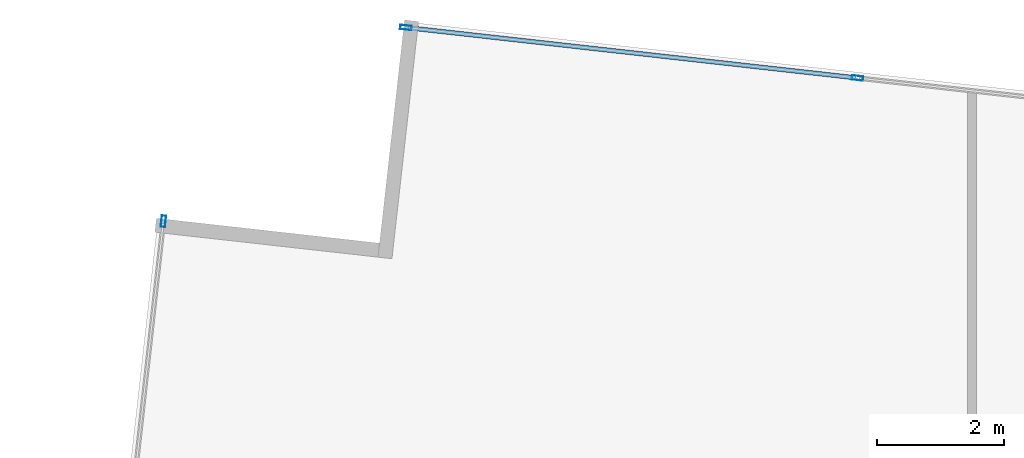
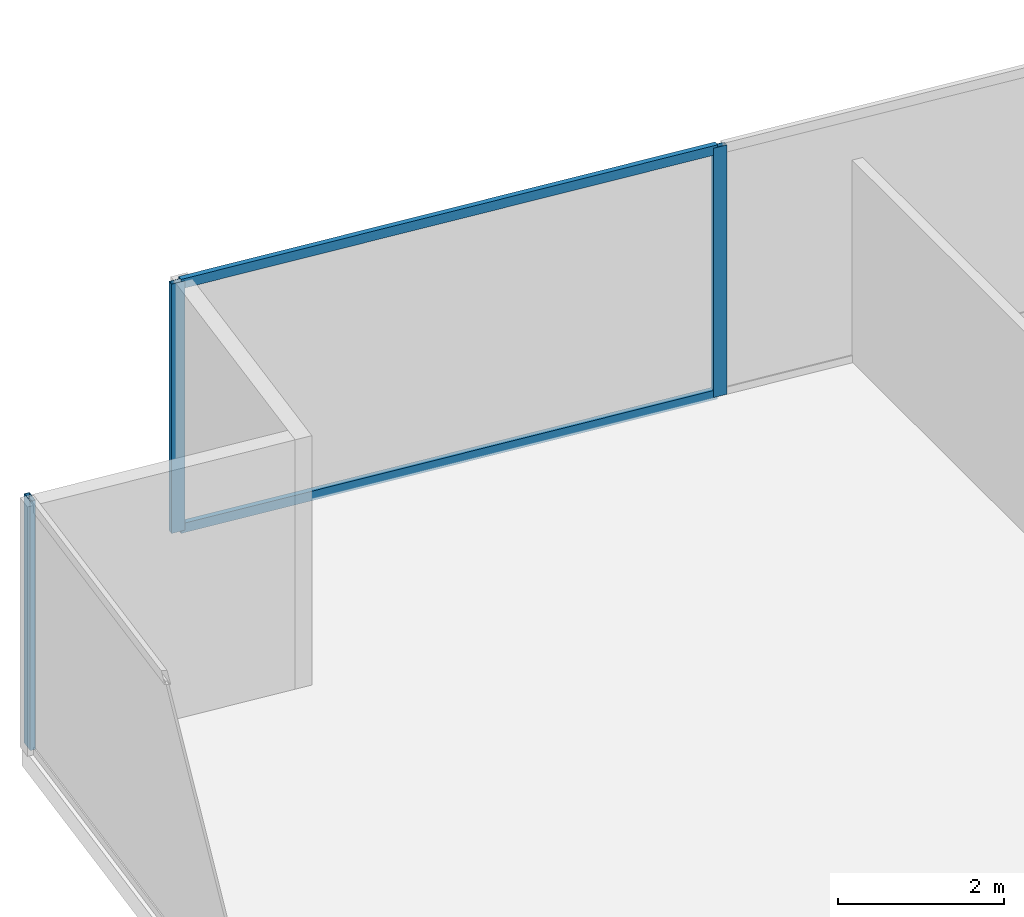
# One storey, part 18 of 29: 5 members, 2 elements without a shape of their own.
"""IFC4 building model written with IfcOpenShell, lengths in metres."""

from ifc_helpers import new_model, si_unit, direction, frame, origin, origin_2d, place, context, subcontext, project, spatial, hollow_rectangle, extrude, source, transform, mapped, material, material_profile, profile_set, type_object, type_shapes, element, aggregate, save


model = new_model("IFC4")

# Units and contexts
model_context = context("Model", 3, precision=1e-05, world=origin(), true_north=direction((0.0, 1.0)))
body_context = subcontext(model_context, "Body", "Model", "MODEL_VIEW")
ifc_project = project(units=[si_unit("LENGTHUNIT", "METRE"), si_unit("AREAUNIT", "SQUARE_METRE"), si_unit("VOLUMEUNIT", "CUBIC_METRE"), si_unit("PLANEANGLEUNIT", "RADIAN"), si_unit("MASSUNIT", "GRAM", prefix="KILO")], contexts=[model_context])

# Site, building, storey
site_placement = place(None, origin())
site = spatial("IfcSite", under=ifc_project, at=site_placement, CompositionType="ELEMENT")
building_placement = place(site_placement, origin())
building = spatial("IfcBuilding", under=site, at=building_placement, Name="Krantzveldt Concourse Tower", CompositionType="ELEMENT")
storey_placement = place(building_placement, frame((0.0, 0.0, 60.550048828125)))
storey = spatial("IfcBuildingStorey", under=building, at=storey_placement, Name="L14", CompositionType="ELEMENT", Elevation=60.550048828125)

# Curtain wall, member
ifc_material = material(Name="Anodised aluminium 6063-T6", Category="aluminium")
curtain_wall_type = type_object("IfcCurtainWallType", Name="CW2", PredefinedType="USERDEFINED", material=ifc_material)
curtain_wall_1_placement = place(storey_placement, origin())
curtain_wall_1 = element("IfcCurtainWall", 1, at=curtain_wall_1_placement, inside=storey, type_object=curtain_wall_type, Name="CW-L14-F01", ObjectType="UNITISED CURTAIN WALL", PredefinedType="USERDEFINED")
ifc_material_profile_1 = material_profile(ifc_material, hollow_rectangle(XDim=0.070068359375, YDim=0.179931640625, WallThickness=0.0048828125, at=origin_2d()), Name="Anodised aluminium 6063-T6", Category="aluminium")
ifc_profile_set_1 = profile_set([ifc_material_profile_1], Name="Anodised aluminium 6063-T6 - ALU-MULL 180x70x5")
member_type_1 = type_object("IfcMemberType", Name="CW-MUL-180", PredefinedType="MULLION", material=ifc_profile_set_1)
shared_shape_1 = source(origin(), body_context, "Body", "SweptSolid", [
    extrude(hollow_rectangle(XDim=0.070068359375, YDim=0.179931640625, WallThickness=0.0048828125, at=origin_2d()), origin(), (0.0, 0.0, 1.0), 3.669921875),
])
type_shapes(member_type_1, [shared_shape_1])
member_1_placement = place(storey_placement, frame((13.62744140625, 50.798095703125, 0.0), z_axis=(0.0, 0.0, 1.0), x_axis=(0.993816458223, -0.111035342863, 0.0)))
member_1 = element("IfcMember", 2, at=member_1_placement, type_object=member_type_1, Name="CW-Z12 mullion 1", PredefinedType="MULLION", context=body_context, shape_type="MappedRepresentation", body=[
    mapped(shared_shape_1, transform((0.0, 0.0, 0.0), x_axis=(1.0, 0.0, 0.0), y_axis=(0.0, 1.0, 0.0), z_axis=(0.0, 0.0, 1.0), scale=1.0)),
])
aggregate(curtain_wall_1, [member_1])

# Curtain wall, members
curtain_wall_2_placement = place(storey_placement, origin())
curtain_wall_2 = element("IfcCurtainWall", 3, at=curtain_wall_2_placement, inside=storey, type_object=curtain_wall_type, Name="CW-L14-F10", ObjectType="UNITISED CURTAIN WALL", PredefinedType="USERDEFINED")
member_2_placement = place(storey_placement, frame((24.521240234375, 53.04736328125, 0.0), z_axis=(0.0, 0.0, 1.0), x_axis=(-0.111035342863, -0.993816458223, 0.0)))
member_2 = element("IfcMember", 4, at=member_2_placement, type_object=member_type_1, Name="CW-Z12 mullion 6", PredefinedType="MULLION", context=body_context, shape_type="MappedRepresentation", body=[
    mapped(shared_shape_1, transform((0.0, 0.0, 0.0), x_axis=(1.0, 0.0, 0.0), y_axis=(0.0, 1.0, 0.0), z_axis=(0.0, 0.0, 1.0), scale=1.0)),
])
member_3_placement = place(storey_placement, frame((17.43359375, 53.83935546875, 0.0), z_axis=(0.0, 0.0, 1.0), x_axis=(-0.111035342863, -0.993816458223, 0.0)))
member_3 = element("IfcMember", 5, at=member_3_placement, type_object=member_type_1, Name="CW-Z12 mullion 7", PredefinedType="MULLION", context=body_context, shape_type="MappedRepresentation", body=[
    mapped(shared_shape_1, transform((0.0, 0.0, 0.0), x_axis=(1.0, 0.0, 0.0), y_axis=(0.0, 1.0, 0.0), z_axis=(0.0, 0.0, 1.0), scale=1.0)),
])
ifc_material_profile_2 = material_profile(ifc_material, hollow_rectangle(XDim=0.070068359375, YDim=0.139892578125, WallThickness=0.0048828125, at=origin_2d()), Name="Anodised aluminium 6063-T6", Category="aluminium")
ifc_profile_set_2 = profile_set([ifc_material_profile_2], Name="Anodised aluminium 6063-T6 - ALU-TRAN 140x70x5")
member_type_2 = type_object("IfcMemberType", Name="CW-TRN-150", PredefinedType="USERDEFINED", material=ifc_profile_set_2)
shared_shape_2 = source(origin(), body_context, "Body", "SweptSolid", [
    extrude(hollow_rectangle(XDim=0.070068359375, YDim=0.139892578125, WallThickness=0.0048828125, at=origin_2d()), origin(), (0.0, 0.0, 1.0), 7.0615234375),
])
type_shapes(member_type_2, [shared_shape_2])
member_4_placement = place(storey_placement, frame((24.486328125, 53.05126953125, 0.034912109375), z_axis=(-0.993814816866, 0.111050032763, 0.0), x_axis=(-0.111050032763, -0.993814816866, 0.0)))
member_4 = element("IfcMember", 6, at=member_4_placement, type_object=member_type_2, Name="CW-Z12 transom 6.1", ObjectType="TRANSOM", PredefinedType="USERDEFINED", context=body_context, shape_type="MappedRepresentation", body=[
    mapped(shared_shape_2, transform((0.0, 0.0, 0.0), x_axis=(1.0, 0.0, 0.0), y_axis=(0.0, 1.0, 0.0), z_axis=(0.0, 0.0, 1.0), scale=1.0)),
])
member_5_placement = place(storey_placement, frame((24.486328125, 53.05126953125, 3.635009765625), z_axis=(-0.993814816866, 0.111050032763, 0.0), x_axis=(-0.111050032763, -0.993814816866, 0.0)))
member_5 = element("IfcMember", 7, at=member_5_placement, type_object=member_type_2, Name="CW-Z12 transom 6.2", ObjectType="TRANSOM", PredefinedType="USERDEFINED", context=body_context, shape_type="MappedRepresentation", body=[
    mapped(shared_shape_2, transform((0.0, 0.0, 0.0), x_axis=(1.0, 0.0, 0.0), y_axis=(0.0, 1.0, 0.0), z_axis=(0.0, 0.0, 1.0), scale=1.0)),
])
aggregate(curtain_wall_2, [member_2, member_3, member_4, member_5])

save(model, "model.ifc")
